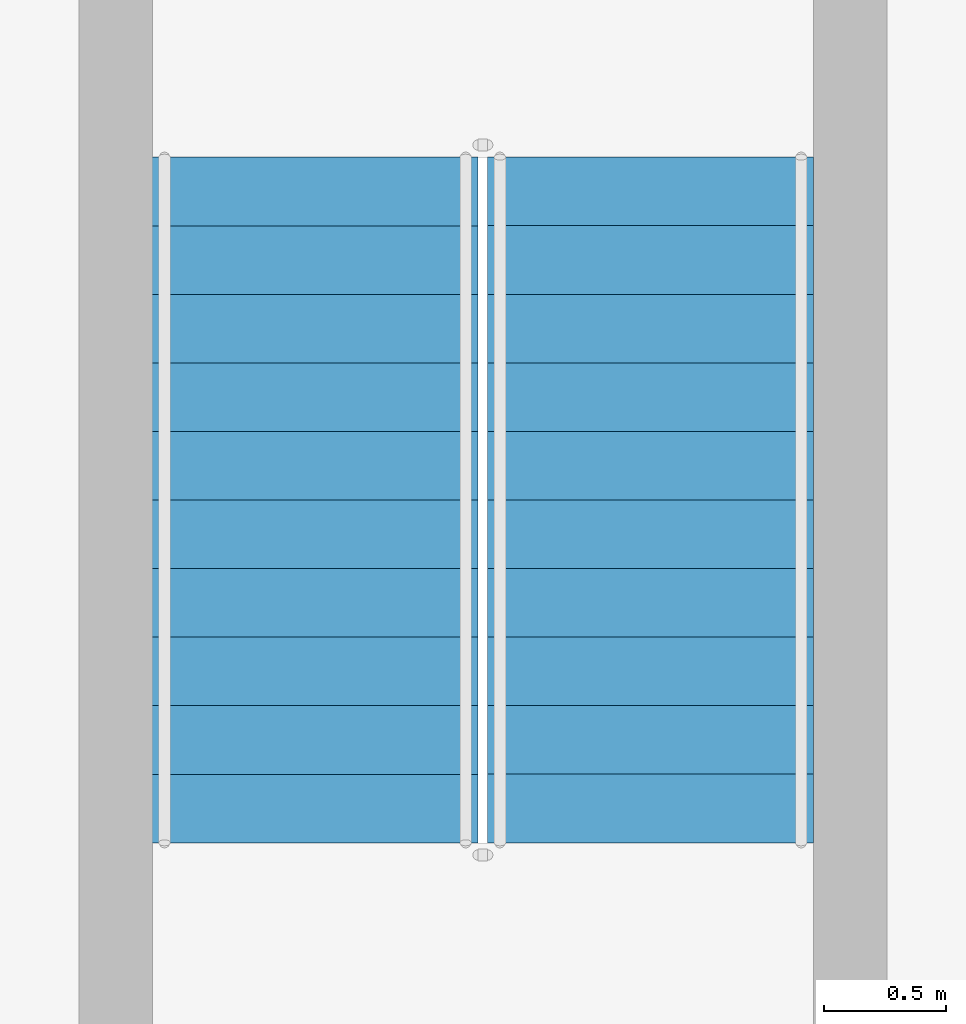
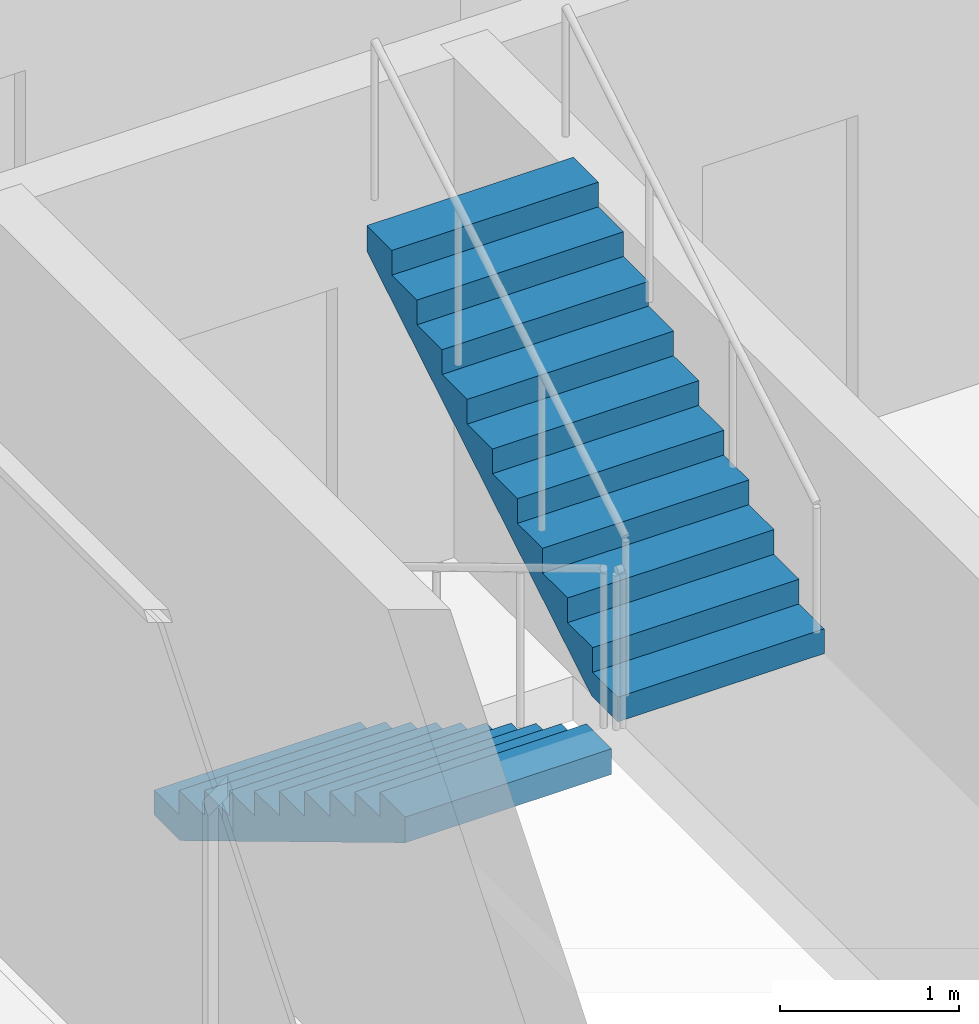
# One storey, part 16 of 27: 2 stair flights, 1 element without a shape of its own.
"""IFC4 building model written with IfcOpenShell, lengths in metres."""

from ifc_helpers import new_model, si_unit, direction, frame, origin, place, context, subcontext, project, spatial, triangles, source, transform, mapped, material, type_object, element, aggregate, save


model = new_model("IFC4")

# Units and contexts
model_context = context("Model", 3, precision=1e-05, world=origin(), true_north=direction((0.0, 1.0)))
body_context = subcontext(model_context, "Body", "Model", "MODEL_VIEW")
ifc_project = project(units=[si_unit("LENGTHUNIT", "METRE"), si_unit("AREAUNIT", "SQUARE_METRE"), si_unit("VOLUMEUNIT", "CUBIC_METRE"), si_unit("PLANEANGLEUNIT", "RADIAN"), si_unit("MASSUNIT", "GRAM", prefix="KILO")], contexts=[model_context])

# Site, building, storey
site_placement = place(None, origin())
site = spatial("IfcSite", under=ifc_project, at=site_placement, CompositionType="ELEMENT")
building_placement = place(site_placement, origin())
building = spatial("IfcBuilding", under=site, at=building_placement, Name="Ogive Portal Towers", CompositionType="ELEMENT")
storey_placement = place(building_placement, frame((0.0, 0.0, 160.699951171875)))
storey = spatial("IfcBuildingStorey", under=building, at=storey_placement, Name="L39", CompositionType="ELEMENT", Elevation=160.699951171875)

# Stair, stair flights
ifc_material = material(Name="Concrete C40/50", Category="concrete")
stair_type = type_object("IfcStairType", Name="INT-STAIR", PredefinedType="HALF_TURN_STAIR", material=ifc_material)
stair_placement = place(storey_placement, origin())
stair = element("IfcStair", 1, at=stair_placement, inside=storey, type_object=stair_type, Name="L39 Exit Stair ST-A4", PredefinedType="HALF_TURN_STAIR")
stair_flight_type = type_object("IfcStairFlightType", Name="INT-FLIGHT", PredefinedType="STRAIGHT", material=ifc_material)
shared_shape = source(origin(), body_context, "Body", "Tessellation", [
    triangles([(0.0, -0.6650390625, 0.0), (0.0, -0.384765625, 0.0), (0.0, -0.197021484375, 0.0), (0.0, -0.0830078125, 0.0), (0.0, -0.024658203125, 0.0), (0.0, -0.003173828125, 0.0), (0.0, 0.0, 0.0), (0.0, 0.003173828125, 0.0), (0.0, 0.024658203125, 0.0), (0.0, 0.0830078125, 0.0), (0.0, 0.197021484375, 0.0), (0.0, 0.384765625, 0.0), (0.0, 0.6650390625, 0.0), (0.0, -0.6650390625, 0.168212890625), (0.0, -0.384765625, 0.168212890625), (0.0, -0.197021484375, 0.168212890625), (0.0, -0.0830078125, 0.168212890625), (0.0, -0.024658203125, 0.168212890625), (0.0, -0.003173828125, 0.168212890625), (0.0, 0.0, 0.168212890625), (0.0, 0.003173828125, 0.168212890625), (0.0, 0.024658203125, 0.168212890625), (0.0, 0.0830078125, 0.168212890625), (0.0, 0.197021484375, 0.168212890625), (0.0, 0.384765625, 0.168212890625), (0.0, 0.6650390625, 0.168212890625), (0.280029296875, -0.6650390625, 0.168212890625), (0.280029296875, -0.384765625, 0.168212890625), (0.280029296875, -0.197021484375, 0.168212890625), (0.280029296875, -0.0830078125, 0.168212890625), (0.280029296875, -0.024658203125, 0.168212890625), (0.280029296875, -0.003173828125, 0.168212890625), (0.280029296875, 0.0, 0.168212890625), (0.280029296875, 0.003173828125, 0.168212890625), (0.280029296875, 0.024658203125, 0.168212890625), (0.280029296875, 0.0830078125, 0.168212890625), (0.280029296875, 0.197021484375, 0.168212890625), (0.280029296875, 0.384765625, 0.168212890625), (0.280029296875, 0.6650390625, 0.168212890625), (0.280029296875, -0.6650390625, 0.33642578125), (0.280029296875, -0.384765625, 0.33642578125), (0.280029296875, -0.197021484375, 0.33642578125), (0.280029296875, -0.0830078125, 0.33642578125), (0.280029296875, -0.024658203125, 0.33642578125), (0.280029296875, -0.003173828125, 0.33642578125), (0.280029296875, 0.0, 0.33642578125), (0.280029296875, 0.003173828125, 0.33642578125), (0.280029296875, 0.024658203125, 0.33642578125), (0.280029296875, 0.0830078125, 0.33642578125), (0.280029296875, 0.197021484375, 0.33642578125), (0.280029296875, 0.384765625, 0.33642578125), (0.280029296875, 0.6650390625, 0.33642578125), (0.56005859375, -0.6650390625, 0.33642578125), (0.56005859375, -0.384765625, 0.33642578125), (0.56005859375, -0.197021484375, 0.33642578125), (0.56005859375, -0.0830078125, 0.33642578125), (0.56005859375, -0.024658203125, 0.33642578125), (0.56005859375, -0.003173828125, 0.33642578125), (0.56005859375, 0.0, 0.33642578125), (0.56005859375, 0.003173828125, 0.33642578125), (0.56005859375, 0.024658203125, 0.33642578125), (0.56005859375, 0.0830078125, 0.33642578125), (0.56005859375, 0.197021484375, 0.33642578125), (0.56005859375, 0.384765625, 0.33642578125), (0.56005859375, 0.6650390625, 0.33642578125), (0.56005859375, -0.6650390625, 0.504638671875), (0.56005859375, -0.384765625, 0.504638671875), (0.56005859375, -0.197021484375, 0.504638671875), (0.56005859375, -0.0830078125, 0.504638671875), (0.56005859375, -0.024658203125, 0.504638671875), (0.56005859375, -0.003173828125, 0.504638671875), (0.56005859375, 0.0, 0.504638671875), (0.56005859375, 0.003173828125, 0.504638671875), (0.56005859375, 0.024658203125, 0.504638671875), (0.56005859375, 0.0830078125, 0.504638671875), (0.56005859375, 0.197021484375, 0.504638671875), (0.56005859375, 0.384765625, 0.504638671875), (0.56005859375, 0.6650390625, 0.504638671875), (0.840087890625, -0.6650390625, 0.504638671875), (0.840087890625, -0.384765625, 0.504638671875), (0.840087890625, -0.197021484375, 0.504638671875), (0.840087890625, -0.0830078125, 0.504638671875), (0.840087890625, -0.024658203125, 0.504638671875), (0.840087890625, -0.003173828125, 0.504638671875), (0.840087890625, 0.0, 0.504638671875), (0.840087890625, 0.003173828125, 0.504638671875), (0.840087890625, 0.024658203125, 0.504638671875), (0.840087890625, 0.0830078125, 0.504638671875), (0.840087890625, 0.197021484375, 0.504638671875), (0.840087890625, 0.384765625, 0.504638671875), (0.840087890625, 0.6650390625, 0.504638671875), (0.840087890625, -0.6650390625, 0.672607421875), (0.840087890625, -0.384765625, 0.672607421875), (0.840087890625, -0.197021484375, 0.672607421875), (0.840087890625, -0.0830078125, 0.672607421875), (0.840087890625, -0.024658203125, 0.672607421875), (0.840087890625, -0.003173828125, 0.672607421875), (0.840087890625, 0.0, 0.672607421875), (0.840087890625, 0.003173828125, 0.672607421875), (0.840087890625, 0.024658203125, 0.672607421875), (0.840087890625, 0.0830078125, 0.672607421875), (0.840087890625, 0.197021484375, 0.672607421875), (0.840087890625, 0.384765625, 0.672607421875), (0.840087890625, 0.6650390625, 0.672607421875), (1.1201171875, -0.6650390625, 0.672607421875), (1.1201171875, -0.384765625, 0.672607421875), (1.1201171875, -0.197021484375, 0.672607421875), (1.1201171875, -0.0830078125, 0.672607421875), (1.1201171875, -0.024658203125, 0.672607421875), (1.1201171875, -0.003173828125, 0.672607421875), (1.1201171875, 0.0, 0.672607421875), (1.1201171875, 0.003173828125, 0.672607421875), (1.1201171875, 0.024658203125, 0.672607421875), (1.1201171875, 0.0830078125, 0.672607421875), (1.1201171875, 0.197021484375, 0.672607421875), (1.1201171875, 0.384765625, 0.672607421875), (1.1201171875, 0.6650390625, 0.672607421875), (1.1201171875, -0.6650390625, 0.8408203125), (1.1201171875, -0.384765625, 0.8408203125), (1.1201171875, -0.197021484375, 0.8408203125), (1.1201171875, -0.0830078125, 0.8408203125), (1.1201171875, -0.024658203125, 0.8408203125), (1.1201171875, -0.003173828125, 0.8408203125), (1.1201171875, 0.0, 0.8408203125), (1.1201171875, 0.003173828125, 0.8408203125), (1.1201171875, 0.024658203125, 0.8408203125), (1.1201171875, 0.0830078125, 0.8408203125), (1.1201171875, 0.197021484375, 0.8408203125), (1.1201171875, 0.384765625, 0.8408203125), (1.1201171875, 0.6650390625, 0.8408203125), (1.39990234375, -0.6650390625, 0.8408203125), (1.39990234375, -0.384765625, 0.8408203125), (1.39990234375, -0.197021484375, 0.8408203125), (1.39990234375, -0.0830078125, 0.8408203125), (1.39990234375, -0.024658203125, 0.8408203125), (1.39990234375, -0.003173828125, 0.8408203125), (1.39990234375, 0.0, 0.8408203125), (1.39990234375, 0.003173828125, 0.8408203125), (1.39990234375, 0.024658203125, 0.8408203125), (1.39990234375, 0.0830078125, 0.8408203125), (1.39990234375, 0.197021484375, 0.8408203125), (1.39990234375, 0.384765625, 0.8408203125), (1.39990234375, 0.6650390625, 0.8408203125), (1.39990234375, -0.6650390625, 1.009033203125), (1.39990234375, -0.384765625, 1.009033203125), (1.39990234375, -0.197021484375, 1.009033203125), (1.39990234375, -0.0830078125, 1.009033203125), (1.39990234375, -0.024658203125, 1.009033203125), (1.39990234375, -0.003173828125, 1.009033203125), (1.39990234375, 0.0, 1.009033203125), (1.39990234375, 0.003173828125, 1.009033203125), (1.39990234375, 0.024658203125, 1.009033203125), (1.39990234375, 0.0830078125, 1.009033203125), (1.39990234375, 0.197021484375, 1.009033203125), (1.39990234375, 0.384765625, 1.009033203125), (1.39990234375, 0.6650390625, 1.009033203125), (1.679931640625, -0.6650390625, 1.009033203125), (1.679931640625, -0.384765625, 1.009033203125), (1.679931640625, -0.197021484375, 1.009033203125), (1.679931640625, -0.0830078125, 1.009033203125), (1.679931640625, -0.024658203125, 1.009033203125), (1.679931640625, -0.003173828125, 1.009033203125), (1.679931640625, 0.0, 1.009033203125), (1.679931640625, 0.003173828125, 1.009033203125), (1.679931640625, 0.024658203125, 1.009033203125), (1.679931640625, 0.0830078125, 1.009033203125), (1.679931640625, 0.197021484375, 1.009033203125), (1.679931640625, 0.384765625, 1.009033203125), (1.679931640625, 0.6650390625, 1.009033203125), (1.679931640625, -0.6650390625, 1.17724609375), (1.679931640625, -0.384765625, 1.17724609375), (1.679931640625, -0.197021484375, 1.17724609375), (1.679931640625, -0.0830078125, 1.17724609375), (1.679931640625, -0.024658203125, 1.17724609375), (1.679931640625, -0.003173828125, 1.17724609375), (1.679931640625, 0.0, 1.17724609375), (1.679931640625, 0.003173828125, 1.17724609375), (1.679931640625, 0.024658203125, 1.17724609375), (1.679931640625, 0.0830078125, 1.17724609375), (1.679931640625, 0.197021484375, 1.17724609375), (1.679931640625, 0.384765625, 1.17724609375), (1.679931640625, 0.6650390625, 1.17724609375), (1.9599609375, -0.6650390625, 1.17724609375), (1.9599609375, -0.384765625, 1.17724609375), (1.9599609375, -0.197021484375, 1.17724609375), (1.9599609375, -0.0830078125, 1.17724609375), (1.9599609375, -0.024658203125, 1.17724609375), (1.9599609375, -0.003173828125, 1.17724609375), (1.9599609375, 0.0, 1.17724609375), (1.9599609375, 0.003173828125, 1.17724609375), (1.9599609375, 0.024658203125, 1.17724609375), (1.9599609375, 0.0830078125, 1.17724609375), (1.9599609375, 0.197021484375, 1.17724609375), (1.9599609375, 0.384765625, 1.17724609375), (1.9599609375, 0.6650390625, 1.17724609375), (1.9599609375, -0.6650390625, 1.345458984375), (1.9599609375, -0.384765625, 1.345458984375), (1.9599609375, -0.197021484375, 1.345458984375), (1.9599609375, -0.0830078125, 1.345458984375), (1.9599609375, -0.024658203125, 1.345458984375), (1.9599609375, -0.003173828125, 1.345458984375), (1.9599609375, 0.0, 1.345458984375), (1.9599609375, 0.003173828125, 1.345458984375), (1.9599609375, 0.024658203125, 1.345458984375), (1.9599609375, 0.0830078125, 1.345458984375), (1.9599609375, 0.197021484375, 1.345458984375), (1.9599609375, 0.384765625, 1.345458984375), (1.9599609375, 0.6650390625, 1.345458984375), (2.239990234375, -0.6650390625, 1.345458984375), (2.239990234375, -0.384765625, 1.345458984375), (2.239990234375, -0.197021484375, 1.345458984375), (2.239990234375, -0.0830078125, 1.345458984375), (2.239990234375, -0.024658203125, 1.345458984375), (2.239990234375, -0.003173828125, 1.345458984375), (2.239990234375, 0.0, 1.345458984375), (2.239990234375, 0.003173828125, 1.345458984375), (2.239990234375, 0.024658203125, 1.345458984375), (2.239990234375, 0.0830078125, 1.345458984375), (2.239990234375, 0.197021484375, 1.345458984375), (2.239990234375, 0.384765625, 1.345458984375), (2.239990234375, 0.6650390625, 1.345458984375), (2.239990234375, -0.6650390625, 1.513671875), (2.239990234375, -0.384765625, 1.513671875), (2.239990234375, -0.197021484375, 1.513671875), (2.239990234375, -0.0830078125, 1.513671875), (2.239990234375, -0.024658203125, 1.513671875), (2.239990234375, -0.003173828125, 1.513671875), (2.239990234375, 0.0, 1.513671875), (2.239990234375, 0.003173828125, 1.513671875), (2.239990234375, 0.024658203125, 1.513671875), (2.239990234375, 0.0830078125, 1.513671875), (2.239990234375, 0.197021484375, 1.513671875), (2.239990234375, 0.384765625, 1.513671875), (2.239990234375, 0.6650390625, 1.513671875), (2.52001953125, -0.6650390625, 1.513671875), (2.52001953125, -0.384765625, 1.513671875), (2.52001953125, -0.197021484375, 1.513671875), (2.52001953125, -0.0830078125, 1.513671875), (2.52001953125, -0.024658203125, 1.513671875), (2.52001953125, -0.003173828125, 1.513671875), (2.52001953125, 0.0, 1.513671875), (2.52001953125, 0.003173828125, 1.513671875), (2.52001953125, 0.024658203125, 1.513671875), (2.52001953125, 0.0830078125, 1.513671875), (2.52001953125, 0.197021484375, 1.513671875), (2.52001953125, 0.384765625, 1.513671875), (2.52001953125, 0.6650390625, 1.513671875), (2.52001953125, -0.6650390625, 1.681884765625), (2.52001953125, -0.384765625, 1.681884765625), (2.52001953125, -0.197021484375, 1.681884765625), (2.52001953125, -0.0830078125, 1.681884765625), (2.52001953125, -0.024658203125, 1.681884765625), (2.52001953125, -0.003173828125, 1.681884765625), (2.52001953125, 0.0, 1.681884765625), (2.52001953125, 0.003173828125, 1.681884765625), (2.52001953125, 0.024658203125, 1.681884765625), (2.52001953125, 0.0830078125, 1.681884765625), (2.52001953125, 0.197021484375, 1.681884765625), (2.52001953125, 0.384765625, 1.681884765625), (2.52001953125, 0.6650390625, 1.681884765625), (2.800048828125, -0.6650390625, 1.681884765625), (2.800048828125, -0.384765625, 1.681884765625), (2.800048828125, -0.197021484375, 1.681884765625), (2.800048828125, -0.0830078125, 1.681884765625), (2.800048828125, -0.024658203125, 1.681884765625), (2.800048828125, -0.003173828125, 1.681884765625), (2.800048828125, 0.0, 1.681884765625), (2.800048828125, 0.003173828125, 1.681884765625), (2.800048828125, 0.024658203125, 1.681884765625), (2.800048828125, 0.0830078125, 1.681884765625), (2.800048828125, 0.197021484375, 1.681884765625), (2.800048828125, 0.384765625, 1.681884765625), (2.800048828125, 0.6650390625, 1.681884765625), (2.800048828125, -0.6650390625, 1.5068359375), (2.800048828125, -0.384765625, 1.5068359375), (2.800048828125, -0.197021484375, 1.5068359375), (2.800048828125, -0.0830078125, 1.5068359375), (2.800048828125, -0.024658203125, 1.5068359375), (2.800048828125, -0.003173828125, 1.5068359375), (2.800048828125, 0.0, 1.5068359375), (2.800048828125, 0.003173828125, 1.5068359375), (2.800048828125, 0.024658203125, 1.5068359375), (2.800048828125, 0.0830078125, 1.5068359375), (2.800048828125, 0.197021484375, 1.5068359375), (2.800048828125, 0.384765625, 1.5068359375), (2.800048828125, 0.6650390625, 1.5068359375), (0.291015625, -0.6650390625, 0.0), (0.291015625, -0.384765625, 0.0), (0.291015625, -0.197021484375, 0.0), (0.291015625, -0.0830078125, 0.0), (0.291015625, -0.024658203125, 0.0), (0.291015625, -0.003173828125, 0.0), (0.291015625, 0.0, 0.0), (0.291015625, 0.003173828125, 0.0), (0.291015625, 0.024658203125, 0.0), (0.291015625, 0.0830078125, 0.0), (0.291015625, 0.197021484375, 0.0), (0.291015625, 0.384765625, 0.0), (0.291015625, 0.6650390625, 0.0)], [[1, 14, 15], [1, 15, 2], [2, 15, 16], [2, 16, 3], [3, 16, 17], [3, 17, 4], [4, 17, 18], [4, 18, 5], [5, 18, 19], [5, 19, 6], [6, 19, 20], [6, 20, 7], [7, 20, 21], [7, 21, 8], [8, 21, 22], [8, 22, 9], [9, 22, 23], [9, 23, 10], [10, 23, 24], [10, 24, 11], [11, 24, 25], [11, 25, 12], [12, 25, 26], [12, 26, 13], [14, 27, 28], [14, 28, 15], [15, 28, 29], [15, 29, 16], [16, 29, 30], [16, 30, 17], [17, 30, 31], [17, 31, 18], [18, 31, 32], [18, 32, 19], [19, 32, 33], [19, 33, 20], [20, 33, 34], [20, 34, 21], [21, 34, 35], [21, 35, 22], [22, 35, 36], [22, 36, 23], [23, 36, 37], [23, 37, 24], [24, 37, 38], [24, 38, 25], [25, 38, 39], [25, 39, 26], [27, 40, 41], [27, 41, 28], [28, 41, 42], [28, 42, 29], [29, 42, 43], [29, 43, 30], [30, 43, 44], [30, 44, 31], [31, 44, 45], [31, 45, 32], [32, 45, 46], [32, 46, 33], [33, 46, 47], [33, 47, 34], [34, 47, 48], [34, 48, 35], [35, 48, 49], [35, 49, 36], [36, 49, 50], [36, 50, 37], [37, 50, 51], [37, 51, 38], [38, 51, 52], [38, 52, 39], [40, 53, 54], [40, 54, 41], [41, 54, 55], [41, 55, 42], [42, 55, 56], [42, 56, 43], [43, 56, 57], [43, 57, 44], [44, 57, 58], [44, 58, 45], [45, 58, 59], [45, 59, 46], [46, 59, 60], [46, 60, 47], [47, 60, 61], [47, 61, 48], [48, 61, 62], [48, 62, 49], [49, 62, 63], [49, 63, 50], [50, 63, 64], [50, 64, 51], [51, 64, 65], [51, 65, 52], [53, 66, 67], [53, 67, 54], [54, 67, 68], [54, 68, 55], [55, 68, 69], [55, 69, 56], [56, 69, 70], [56, 70, 57], [57, 70, 71], [57, 71, 58], [58, 71, 72], [58, 72, 59], [59, 72, 73], [59, 73, 60], [60, 73, 74], [60, 74, 61], [61, 74, 75], [61, 75, 62], [62, 75, 76], [62, 76, 63], [63, 76, 77], [63, 77, 64], [64, 77, 78], [64, 78, 65], [66, 79, 80], [66, 80, 67], [67, 80, 81], [67, 81, 68], [68, 81, 82], [68, 82, 69], [69, 82, 83], [69, 83, 70], [70, 83, 84], [70, 84, 71], [71, 84, 85], [71, 85, 72], [72, 85, 86], [72, 86, 73], [73, 86, 87], [73, 87, 74], [74, 87, 88], [74, 88, 75], [75, 88, 89], [75, 89, 76], [76, 89, 90], [76, 90, 77], [77, 90, 91], [77, 91, 78], [79, 92, 93], [79, 93, 80], [80, 93, 94], [80, 94, 81], [81, 94, 95], [81, 95, 82], [82, 95, 96], [82, 96, 83], [83, 96, 97], [83, 97, 84], [84, 97, 98], [84, 98, 85], [85, 98, 99], [85, 99, 86], [86, 99, 100], [86, 100, 87], [87, 100, 101], [87, 101, 88], [88, 101, 102], [88, 102, 89], [89, 102, 103], [89, 103, 90], [90, 103, 104], [90, 104, 91], [92, 105, 106], [92, 106, 93], [93, 106, 107], [93, 107, 94], [94, 107, 108], [94, 108, 95], [95, 108, 109], [95, 109, 96], [96, 109, 110], [96, 110, 97], [97, 110, 111], [97, 111, 98], [98, 111, 112], [98, 112, 99], [99, 112, 113], [99, 113, 100], [100, 113, 114], [100, 114, 101], [101, 114, 115], [101, 115, 102], [102, 115, 116], [102, 116, 103], [103, 116, 117], [103, 117, 104], [105, 118, 119], [105, 119, 106], [106, 119, 120], [106, 120, 107], [107, 120, 121], [107, 121, 108], [108, 121, 122], [108, 122, 109], [109, 122, 123], [109, 123, 110], [110, 123, 124], [110, 124, 111], [111, 124, 125], [111, 125, 112], [112, 125, 126], [112, 126, 113], [113, 126, 127], [113, 127, 114], [114, 127, 128], [114, 128, 115], [115, 128, 129], [115, 129, 116], [116, 129, 130], [116, 130, 117], [118, 131, 132], [118, 132, 119], [119, 132, 133], [119, 133, 120], [120, 133, 134], [120, 134, 121], [121, 134, 135], [121, 135, 122], [122, 135, 136], [122, 136, 123], [123, 136, 137], [123, 137, 124], [124, 137, 138], [124, 138, 125], [125, 138, 139], [125, 139, 126], [126, 139, 140], [126, 140, 127], [127, 140, 141], [127, 141, 128], [128, 141, 142], [128, 142, 129], [129, 142, 143], [129, 143, 130], [131, 144, 145], [131, 145, 132], [132, 145, 146], [132, 146, 133], [133, 146, 147], [133, 147, 134], [134, 147, 148], [134, 148, 135], [135, 148, 149], [135, 149, 136], [136, 149, 150], [136, 150, 137], [137, 150, 151], [137, 151, 138], [138, 151, 152], [138, 152, 139], [139, 152, 153], [139, 153, 140], [140, 153, 154], [140, 154, 141], [141, 154, 155], [141, 155, 142], [142, 155, 156], [142, 156, 143], [144, 157, 158], [144, 158, 145], [145, 158, 159], [145, 159, 146], [146, 159, 160], [146, 160, 147], [147, 160, 161], [147, 161, 148], [148, 161, 162], [148, 162, 149], [149, 162, 163], [149, 163, 150], [150, 163, 164], [150, 164, 151], [151, 164, 165], [151, 165, 152], [152, 165, 166], [152, 166, 153], [153, 166, 167], [153, 167, 154], [154, 167, 168], [154, 168, 155], [155, 168, 169], [155, 169, 156], [157, 170, 171], [157, 171, 158], [158, 171, 172], [158, 172, 159], [159, 172, 173], [159, 173, 160], [160, 173, 174], [160, 174, 161], [161, 174, 175], [161, 175, 162], [162, 175, 176], [162, 176, 163], [163, 176, 177], [163, 177, 164], [164, 177, 178], [164, 178, 165], [165, 178, 179], [165, 179, 166], [166, 179, 180], [166, 180, 167], [167, 180, 181], [167, 181, 168], [168, 181, 182], [168, 182, 169], [170, 183, 184], [170, 184, 171], [171, 184, 185], [171, 185, 172], [172, 185, 186], [172, 186, 173], [173, 186, 187], [173, 187, 174], [174, 187, 188], [174, 188, 175], [175, 188, 189], [175, 189, 176], [176, 189, 190], [176, 190, 177], [177, 190, 191], [177, 191, 178], [178, 191, 192], [178, 192, 179], [179, 192, 193], [179, 193, 180], [180, 193, 194], [180, 194, 181], [181, 194, 195], [181, 195, 182], [183, 196, 197], [183, 197, 184], [184, 197, 198], [184, 198, 185], [185, 198, 199], [185, 199, 186], [186, 199, 200], [186, 200, 187], [187, 200, 201], [187, 201, 188], [188, 201, 202], [188, 202, 189], [189, 202, 203], [189, 203, 190], [190, 203, 204], [190, 204, 191], [191, 204, 205], [191, 205, 192], [192, 205, 206], [192, 206, 193], [193, 206, 207], [193, 207, 194], [194, 207, 208], [194, 208, 195], [196, 209, 210], [196, 210, 197], [197, 210, 211], [197, 211, 198], [198, 211, 212], [198, 212, 199], [199, 212, 213], [199, 213, 200], [200, 213, 214], [200, 214, 201], [201, 214, 215], [201, 215, 202], [202, 215, 216], [202, 216, 203], [203, 216, 217], [203, 217, 204], [204, 217, 218], [204, 218, 205], [205, 218, 219], [205, 219, 206], [206, 219, 220], [206, 220, 207], [207, 220, 221], [207, 221, 208], [209, 222, 223], [209, 223, 210], [210, 223, 224], [210, 224, 211], [211, 224, 225], [211, 225, 212], [212, 225, 226], [212, 226, 213], [213, 226, 227], [213, 227, 214], [214, 227, 228], [214, 228, 215], [215, 228, 229], [215, 229, 216], [216, 229, 230], [216, 230, 217], [217, 230, 231], [217, 231, 218], [218, 231, 232], [218, 232, 219], [219, 232, 233], [219, 233, 220], [220, 233, 234], [220, 234, 221], [222, 235, 236], [222, 236, 223], [223, 236, 237], [223, 237, 224], [224, 237, 238], [224, 238, 225], [225, 238, 239], [225, 239, 226], [226, 239, 240], [226, 240, 227], [227, 240, 241], [227, 241, 228], [228, 241, 242], [228, 242, 229], [229, 242, 243], [229, 243, 230], [230, 243, 244], [230, 244, 231], [231, 244, 245], [231, 245, 232], [232, 245, 246], [232, 246, 233], [233, 246, 247], [233, 247, 234], [235, 248, 249], [235, 249, 236], [236, 249, 250], [236, 250, 237], [237, 250, 251], [237, 251, 238], [238, 251, 252], [238, 252, 239], [239, 252, 253], [239, 253, 240], [240, 253, 254], [240, 254, 241], [241, 254, 255], [241, 255, 242], [242, 255, 256], [242, 256, 243], [243, 256, 257], [243, 257, 244], [244, 257, 258], [244, 258, 245], [245, 258, 259], [245, 259, 246], [246, 259, 260], [246, 260, 247], [248, 261, 262], [248, 262, 249], [249, 262, 263], [249, 263, 250], [250, 263, 264], [250, 264, 251], [251, 264, 265], [251, 265, 252], [252, 265, 266], [252, 266, 253], [253, 266, 267], [253, 267, 254], [254, 267, 268], [254, 268, 255], [255, 268, 269], [255, 269, 256], [256, 269, 270], [256, 270, 257], [257, 270, 271], [257, 271, 258], [258, 271, 272], [258, 272, 259], [259, 272, 273], [259, 273, 260], [261, 274, 275], [261, 275, 262], [262, 275, 276], [262, 276, 263], [263, 276, 277], [263, 277, 264], [264, 277, 278], [264, 278, 265], [265, 278, 279], [265, 279, 266], [266, 279, 280], [266, 280, 267], [267, 280, 281], [267, 281, 268], [268, 281, 282], [268, 282, 269], [269, 282, 283], [269, 283, 270], [270, 283, 284], [270, 284, 271], [271, 284, 285], [271, 285, 272], [272, 285, 286], [272, 286, 273], [274, 287, 288], [274, 288, 275], [275, 288, 289], [275, 289, 276], [276, 289, 290], [276, 290, 277], [277, 290, 291], [277, 291, 278], [278, 291, 292], [278, 292, 279], [279, 292, 293], [279, 293, 280], [280, 293, 294], [280, 294, 281], [281, 294, 295], [281, 295, 282], [282, 295, 296], [282, 296, 283], [283, 296, 297], [283, 297, 284], [284, 297, 298], [284, 298, 285], [285, 298, 299], [285, 299, 286], [287, 1, 2], [287, 2, 288], [288, 2, 3], [288, 3, 289], [289, 3, 4], [289, 4, 290], [290, 4, 5], [290, 5, 291], [291, 5, 6], [291, 6, 292], [292, 6, 7], [292, 7, 293], [293, 7, 8], [293, 8, 294], [294, 8, 9], [294, 9, 295], [295, 9, 10], [295, 10, 296], [296, 10, 11], [296, 11, 297], [297, 11, 12], [297, 12, 298], [298, 12, 13], [298, 13, 299], [1, 287, 274], [13, 286, 299], [274, 261, 248], [286, 260, 273], [274, 248, 235], [286, 247, 260], [274, 235, 222], [286, 234, 247], [274, 222, 209], [286, 221, 234], [209, 196, 183], [221, 195, 208], [274, 209, 183], [286, 195, 221], [183, 170, 157], [195, 169, 182], [274, 183, 157], [286, 169, 195], [157, 144, 131], [169, 143, 156], [274, 157, 131], [286, 143, 169], [131, 118, 105], [143, 117, 130], [274, 131, 105], [286, 117, 143], [1, 274, 105], [13, 117, 286], [105, 92, 79], [117, 91, 104], [79, 66, 53], [91, 65, 78], [105, 79, 53], [117, 65, 91], [53, 40, 27], [65, 39, 52], [105, 53, 27], [117, 39, 65], [1, 105, 27], [13, 39, 117], [27, 14, 1], [39, 13, 26]], closed=True),
])
stair_flight_1_placement = place(storey_placement, frame((87.6650390625, 29.169921875, 0.0), z_axis=(0.0, 0.0, 1.0), x_axis=(0.0, -1.0, 0.0)))
stair_flight_1 = element("IfcStairFlight", 2, at=stair_flight_1_placement, type_object=stair_flight_type, Name="ST-A4 flight 1", NumberOfRisers=11, NumberOfTreads=10, PredefinedType="STRAIGHT", RiserHeight=0.168181818, TreadLength=0.28, context=body_context, shape_type="MappedRepresentation", body=[
    mapped(shared_shape, transform((0.0, 0.0, 0.0), scale=1.0)),
])
stair_flight_2_placement = place(storey_placement, frame((89.034912109375, 26.3701171875, 1.85009765625), z_axis=(0.0, 0.0, 1.0), x_axis=(0.0, 1.0, 0.0)))
stair_flight_2 = element("IfcStairFlight", 3, at=stair_flight_2_placement, type_object=stair_flight_type, Name="ST-A4 flight 2", NumberOfRisers=11, NumberOfTreads=10, PredefinedType="STRAIGHT", RiserHeight=0.168181818, TreadLength=0.28, context=body_context, shape_type="MappedRepresentation", body=[
    mapped(shared_shape, transform((0.0, 0.0, 0.0), scale=1.0)),
])
aggregate(stair, [stair_flight_1, stair_flight_2])

save(model, "model.ifc")
